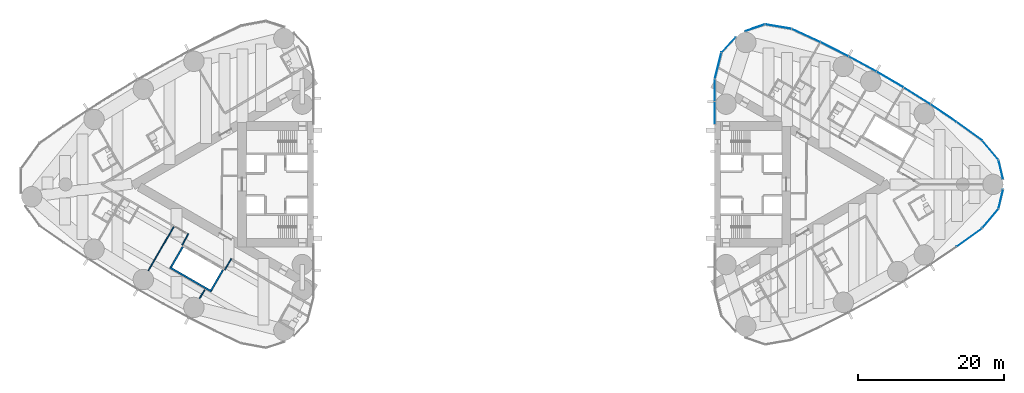
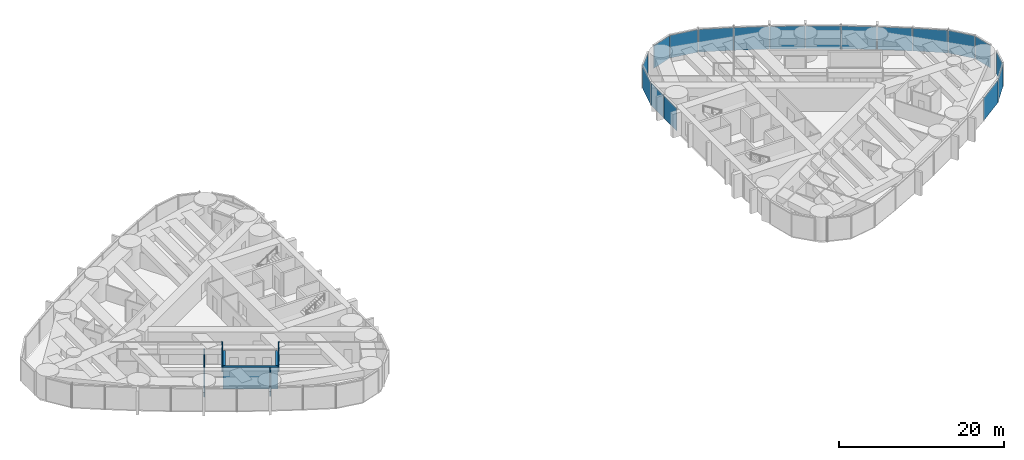
# One storey, part 11 of 18: 18 plates, 7 walls, 3 elements without a shape of their own.
"""IFC4 building model written with IfcOpenShell, lengths in metres."""

from ifc_helpers import new_model, si_unit, direction, frame, frame_2d, origin, origin_2d, place, context, subcontext, project, spatial, rectangle, extrude, material, layer, layer_set, type_object, element, aggregate, save


model = new_model("IFC4")

# Units and contexts
model_context = context("Model", 3, precision=1e-05, world=origin(), true_north=direction((0.0, 1.0)))
body_context = subcontext(model_context, "Body", "Model", "MODEL_VIEW")
ifc_project = project(units=[si_unit("LENGTHUNIT", "METRE"), si_unit("AREAUNIT", "SQUARE_METRE"), si_unit("VOLUMEUNIT", "CUBIC_METRE"), si_unit("PLANEANGLEUNIT", "RADIAN"), si_unit("MASSUNIT", "GRAM", prefix="KILO")], contexts=[model_context])

# Site, building, storey
site_placement = place(None, origin())
site = spatial("IfcSite", under=ifc_project, at=site_placement, CompositionType="ELEMENT")
building_placement = place(site_placement, origin())
building = spatial("IfcBuilding", under=site, at=building_placement, Name="Lancet Gate Hotel", CompositionType="ELEMENT")
storey_placement = place(building_placement, frame((0.0, 0.0, 187.800048828125)))
storey = spatial("IfcBuildingStorey", under=building, at=storey_placement, Name="L50", CompositionType="ELEMENT", Elevation=187.800048828125)

# Curtain wall, plates
ifc_material_1 = material(Name="Aluminium curtain wall", Category="aluminium")
curtain_wall_type = type_object("IfcCurtainWallType", Name="Tower unitised curtain wall", PredefinedType="USERDEFINED", material=ifc_material_1)
curtain_wall_1_placement = place(storey_placement, origin())
curtain_wall_1 = element("IfcCurtainWall", 1, at=curtain_wall_1_placement, inside=storey, type_object=curtain_wall_type, Name="T2 L50 curtain wall 2", ObjectType="UNITISED CURTAIN WALL", PredefinedType="USERDEFINED")
ifc_material_2 = material(Name="Glass double glazed unit 8-16-6", Category="glass")
ifc_layer_1 = layer(ifc_material_2, 0.030029296875)
ifc_layer_set_1 = layer_set([ifc_layer_1], Name="Vision panel double glazed")
plate_type = type_object("IfcPlateType", Name="Vision panel double glazed", PredefinedType="CURTAIN_PANEL", material=ifc_layer_set_1)
plate_1_placement = place(storey_placement, frame((62.417236328125, -7.279541015625, 0.0), z_axis=(0.0, 0.0, 1.0), x_axis=(0.810891442127, 0.585196607206, 0.0)))
plate_1 = element("IfcPlate", 2, at=plate_1_placement, type_object=plate_type, Name="T2 L50 curtain wall 2 panel 9", PredefinedType="CURTAIN_PANEL", context=body_context, shape_type="SweptSolid", body=[
    extrude(rectangle(XDim=4.26904296875, YDim=0.030029296875, at=origin_2d()), origin(), (0.0, 0.0, 1.0), 3.35009765625),
])
plate_2_placement = place(storey_placement, frame((65.283935546875, -4.68701171875, 0.0), z_axis=(0.0, 0.0, 1.0), x_axis=(0.642198636854, 0.766538264422, 0.0)))
plate_2 = element("IfcPlate", 3, at=plate_2_placement, type_object=plate_type, Name="T2 L50 curtain wall 2 panel 10", PredefinedType="CURTAIN_PANEL", context=body_context, shape_type="SweptSolid", body=[
    extrude(rectangle(XDim=3.390380859375, YDim=0.030029296875, at=origin_2d()), origin(), (0.0, 0.0, 1.0), 3.35009765625),
])
plate_3_placement = place(storey_placement, frame((66.710693359375, -2.0234375, 0.0), z_axis=(0.0, 0.0, 1.0), x_axis=(0.230366568544, 0.973103922558, 0.0)))
plate_3 = element("IfcPlate", 4, at=plate_3_placement, type_object=plate_type, Name="T2 L50 curtain wall 2 panel 11", PredefinedType="CURTAIN_PANEL", context=body_context, shape_type="SweptSolid", body=[
    extrude(rectangle(XDim=2.687255859375, YDim=0.030029296875, at=origin_2d()), origin(), (0.0, 0.0, 1.0), 3.35009765625),
])
aggregate(curtain_wall_1, [plate_1, plate_2, plate_3])

curtain_wall_2_placement = place(storey_placement, origin())
curtain_wall_2 = element("IfcCurtainWall", 5, at=curtain_wall_2_placement, inside=storey, type_object=curtain_wall_type, Name="T2 L50 curtain wall 3", ObjectType="UNITISED CURTAIN WALL", PredefinedType="USERDEFINED")
plate_4_placement = place(storey_placement, frame((66.710693359375, 2.0234375, 0.0), z_axis=(0.0, 0.0, 1.0), x_axis=(-0.230366568544, 0.973103922558, 0.0)))
plate_4 = element("IfcPlate", 6, at=plate_4_placement, type_object=plate_type, Name="T2 L50 curtain wall 3 panel 1", PredefinedType="CURTAIN_PANEL", context=body_context, shape_type="SweptSolid", body=[
    extrude(rectangle(XDim=2.687255859375, YDim=0.030029296875, at=origin_2d()), origin(), (0.0, 0.0, 1.0), 3.35009765625),
])
plate_5_placement = place(storey_placement, frame((65.283935546875, 4.68701171875, 0.0), z_axis=(0.0, 0.0, 1.0), x_axis=(-0.642198636854, 0.766538264422, 0.0)))
plate_5 = element("IfcPlate", 7, at=plate_5_placement, type_object=plate_type, Name="T2 L50 curtain wall 3 panel 2", PredefinedType="CURTAIN_PANEL", context=body_context, shape_type="SweptSolid", body=[
    extrude(rectangle(XDim=3.390380859375, YDim=0.030029296875, at=origin_2d()), origin(), (0.0, 0.0, 1.0), 3.35009765625),
])
plate_6_placement = place(storey_placement, frame((62.417236328125, 7.279541015625, 0.0), z_axis=(0.0, 0.0, 1.0), x_axis=(-0.810891442127, 0.585196607206, 0.0)))
plate_6 = element("IfcPlate", 8, at=plate_6_placement, type_object=plate_type, Name="T2 L50 curtain wall 3 panel 3", PredefinedType="CURTAIN_PANEL", context=body_context, shape_type="SweptSolid", body=[
    extrude(rectangle(XDim=4.26904296875, YDim=0.030029296875, at=origin_2d()), origin(), (0.0, 0.0, 1.0), 3.35009765625),
])
plate_7_placement = place(storey_placement, frame((58.863525390625, 9.75927734375, 0.0), z_axis=(0.0, 0.0, 1.0), x_axis=(-0.829038793948, 0.559191092677, 0.0)))
plate_7 = element("IfcPlate", 9, at=plate_7_placement, type_object=plate_type, Name="T2 L50 curtain wall 3 panel 4", PredefinedType="CURTAIN_PANEL", context=body_context, shape_type="SweptSolid", body=[
    extrude(rectangle(XDim=4.26904296875, YDim=0.030029296875, at=origin_2d()), origin(), (0.0, 0.0, 1.0), 3.35009765625),
])
plate_8_placement = place(storey_placement, frame((55.233154296875, 12.125244140625, 0.0), z_axis=(0.0, 0.0, 1.0), x_axis=(-0.846352453444, 0.532623248225, 0.0)))
plate_8 = element("IfcPlate", 10, at=plate_8_placement, type_object=plate_type, Name="T2 L50 curtain wall 3 panel 5", PredefinedType="CURTAIN_PANEL", context=body_context, shape_type="SweptSolid", body=[
    extrude(rectangle(XDim=4.26904296875, YDim=0.030029296875, at=origin_2d()), origin(), (0.0, 0.0, 1.0), 3.35009765625),
])
plate_9_placement = place(storey_placement, frame((51.529296875, 14.374755859375, 0.0), z_axis=(0.0, 0.0, 1.0), x_axis=(-0.862815009772, 0.505519790822, 0.0)))
plate_9 = element("IfcPlate", 11, at=plate_9_placement, type_object=plate_type, Name="T2 L50 curtain wall 3 panel 6", PredefinedType="CURTAIN_PANEL", context=body_context, shape_type="SweptSolid", body=[
    extrude(rectangle(XDim=4.26904296875, YDim=0.030029296875, at=origin_2d()), origin(), (0.0, 0.0, 1.0), 3.35009765625),
])
plate_10_placement = place(storey_placement, frame((47.756103515625, 16.505859375, 0.0), z_axis=(0.0, 0.0, 1.0), x_axis=(-0.878409907967, 0.477907976063, 0.0)))
plate_10 = element("IfcPlate", 12, at=plate_10_placement, type_object=plate_type, Name="T2 L50 curtain wall 3 panel 7", PredefinedType="CURTAIN_PANEL", context=body_context, shape_type="SweptSolid", body=[
    extrude(rectangle(XDim=4.26904296875, YDim=0.030029296875, at=origin_2d()), origin(), (0.0, 0.0, 1.0), 3.35009765625),
])
plate_11_placement = place(storey_placement, frame((43.917236328125, 18.516357421875, 0.0), z_axis=(0.0, 0.0, 1.0), x_axis=(-0.893121465596, 0.449815570752, 0.0)))
plate_11 = element("IfcPlate", 13, at=plate_11_placement, type_object=plate_type, Name="T2 L50 curtain wall 3 panel 8", PredefinedType="CURTAIN_PANEL", context=body_context, shape_type="SweptSolid", body=[
    extrude(rectangle(XDim=4.26904296875, YDim=0.030029296875, at=origin_2d()), origin(), (0.0, 0.0, 1.0), 3.35009765625),
])
plate_12_placement = place(storey_placement, frame((40.0166015625, 20.40380859375, 0.0), z_axis=(0.0, 0.0, 1.0), x_axis=(-0.906934888522, 0.421270824982, 0.0)))
plate_12 = element("IfcPlate", 14, at=plate_12_placement, type_object=plate_type, Name="T2 L50 curtain wall 3 panel 9", PredefinedType="CURTAIN_PANEL", context=body_context, shape_type="SweptSolid", body=[
    extrude(rectangle(XDim=4.26904296875, YDim=0.030029296875, at=origin_2d()), origin(), (0.0, 0.0, 1.0), 3.35009765625),
])
plate_13_placement = place(storey_placement, frame((36.231689453125, 21.629638671875, 0.0), z_axis=(0.0, 0.0, 1.0), x_axis=(-0.985539649572, 0.169444973729, 0.0)))
plate_13 = element("IfcPlate", 15, at=plate_13_placement, type_object=plate_type, Name="T2 L50 curtain wall 3 panel 10", PredefinedType="CURTAIN_PANEL", context=body_context, shape_type="SweptSolid", body=[
    extrude(rectangle(XDim=3.62744140625, YDim=0.030029296875, at=origin_2d()), origin(), (0.0, 0.0, 1.0), 3.35009765625),
])
plate_14_placement = place(storey_placement, frame((33.02197265625, 21.470703125, 0.0), z_axis=(0.0, 0.0, 1.0), x_axis=(-0.946952368511, -0.321373943827, 0.0)))
plate_14 = element("IfcPlate", 16, at=plate_14_placement, type_object=plate_type, Name="T2 L50 curtain wall 3 panel 11", PredefinedType="CURTAIN_PANEL", context=body_context, shape_type="SweptSolid", body=[
    extrude(rectangle(XDim=2.871337890625, YDim=0.030029296875, at=origin_2d()), origin(), (0.0, 0.0, 1.0), 3.35009765625),
])
aggregate(curtain_wall_2, [plate_4, plate_5, plate_6, plate_7, plate_8, plate_9, plate_10, plate_11, plate_12, plate_13, plate_14])

curtain_wall_3_placement = place(storey_placement, origin())
curtain_wall_3 = element("IfcCurtainWall", 17, at=curtain_wall_3_placement, inside=storey, type_object=curtain_wall_type, Name="T2 L50 curtain wall 4", ObjectType="UNITISED CURTAIN WALL", PredefinedType="USERDEFINED")
plate_15_placement = place(storey_placement, frame((29.4052734375, 19.122314453125, 0.0), z_axis=(0.0, 0.0, 1.0), x_axis=(-0.67883123083, -0.734294327943, 0.0)))
plate_15 = element("IfcPlate", 18, at=plate_15_placement, type_object=plate_type, Name="T2 L50 curtain wall 4 panel 1", PredefinedType="CURTAIN_PANEL", context=body_context, shape_type="SweptSolid", body=[
    extrude(rectangle(XDim=2.87060546875, YDim=0.030029296875, at=origin_2d()), origin(), (0.0, 0.0, 1.0), 3.35009765625),
])
plate_16_placement = place(storey_placement, frame((27.95458984375, 16.2548828125, 0.0), z_axis=(0.0, 0.0, 1.0), x_axis=(-0.246166705764, -0.969227503207, 0.0)))
plate_16 = element("IfcPlate", 19, at=plate_16_placement, type_object=plate_type, Name="T2 L50 curtain wall 4 panel 2", PredefinedType="CURTAIN_PANEL", context=body_context, shape_type="SweptSolid", body=[
    extrude(rectangle(XDim=3.62744140625, YDim=0.030029296875, at=origin_2d()), origin(), (0.0, 0.0, 1.0), 3.35009765625),
])
plate_17_placement = place(storey_placement, frame((27.5, 12.899169921875, 0.0), z_axis=(0.0, 0.0, 1.0), x_axis=(0.0, -1.0, 0.0)))
plate_17 = element("IfcPlate", 20, at=plate_17_placement, type_object=plate_type, Name="T2 L50 curtain wall 4 panel 3", PredefinedType="CURTAIN_PANEL", context=body_context, shape_type="SweptSolid", body=[
    extrude(rectangle(XDim=3.06787109375, YDim=0.030029296875, at=origin_2d()), origin(), (0.0, 0.0, 1.0), 3.35009765625),
])
plate_18_placement = place(storey_placement, frame((27.5, 9.766357421875, 0.0), z_axis=(0.0, 0.0, 1.0), x_axis=(0.0, -1.0, 0.0)))
plate_18 = element("IfcPlate", 21, at=plate_18_placement, type_object=plate_type, Name="T2 L50 curtain wall 4 panel 4", PredefinedType="CURTAIN_PANEL", context=body_context, shape_type="SweptSolid", body=[
    extrude(rectangle(XDim=3.06787109375, YDim=0.030029296875, at=origin_2d()), origin(), (0.0, 0.0, 1.0), 3.35009765625),
])
aggregate(curtain_wall_3, [plate_15, plate_16, plate_17, plate_18])

# Walls
ifc_material_3 = material(Name="Gypsum board partition")
ifc_layer_2 = layer(ifc_material_3, 0.25)
ifc_layer_set_2 = layer_set([ifc_layer_2], Name="Lift shaft partition 250")
wall_type_1 = type_object("IfcWallType", Name="Lift shaft partition 250", PredefinedType="PARTITIONING", material=ifc_layer_set_2)
wall_1_placement = place(storey_placement, frame((-41.482421875, -14.685791015625, 0.0), z_axis=(0.0, 0.0, 1.0), x_axis=(-0.86603344179, 0.499986077507, 0.0)))
element("IfcWall", 22, at=wall_1_placement, inside=storey, type_object=wall_type_1, Name="T1 lift shaft wall HL L50", PredefinedType="PARTITIONING", context=body_context, shape_type="SweptSolid", body=[
    extrude(rectangle(XDim=6.600341796875, YDim=0.25, at=frame_2d((3.30029296875, 0.0))), origin(), (0.0, 0.0, 1.0), 3.25),
])
for number, where, z_axis, x_axis, name in (
    (23, (-39.92822265625, -11.742919921875, 0.0), (0.0, 0.0, 1.0), (-0.499929347863, -0.866066190972, 0.0), "T1 lift shaft wall HL L50"),
    (24, (-45.427734375, -8.568115234375, 0.0), (0.0, 0.0, 1.0), (-0.499929347863, -0.866066190972, 0.0), "T1 lift shaft wall HL L50"),
):
    element("IfcWall", number, at=place(storey_placement, frame(where, z_axis=z_axis, x_axis=x_axis)), inside=storey, type_object=wall_type_1, Name=name, PredefinedType="PARTITIONING", context=body_context, shape_type="SweptSolid", body=[
        extrude(rectangle(XDim=3.20068359375, YDim=0.25, at=frame_2d((1.600341796875, 0.0))), origin(), (0.0, 0.0, 1.0), 3.25),
    ])
ifc_material_4 = material(Name="Gypsum board partition")
ifc_layer_3 = layer(ifc_material_4, 0.14990234375)
ifc_layer_set_3 = layer_set([ifc_layer_3], Name="Party wall 150")
wall_type_2 = type_object("IfcWallType", Name="Party wall 150", PredefinedType="PARTITIONING", material=ifc_layer_set_3)
wall_2_placement = place(storey_placement, frame((-46.6787109375, -5.8251953125, 0.0), z_axis=(0.0, 0.0, 1.0), x_axis=(-0.500006839597, -0.866021454905, 0.0)))
element("IfcWall", 25, at=wall_2_placement, inside=storey, type_object=wall_type_2, Name="T1 party wall 150 L50", PredefinedType="PARTITIONING", context=body_context, shape_type="SweptSolid", body=[
    extrude(rectangle(XDim=6.9111328125, YDim=0.14990234375, at=frame_2d((3.45556640625, 0.0))), origin(), (0.0, 0.0, 1.0), 2.300048828125),
])
wall_3_placement = place(storey_placement, frame((-42.429443359375, -14.45654296875, 0.0), z_axis=(0.0, 0.0, 1.0), x_axis=(-0.5000578829, -0.865991982497, 0.0)))
element("IfcWall", 26, at=wall_3_placement, inside=storey, type_object=wall_type_2, Name="T1 party wall 150 L50", PredefinedType="PARTITIONING", context=body_context, shape_type="SweptSolid", body=[
    extrude(rectangle(XDim=1.406982421875, YDim=0.14990234375, at=frame_2d((0.70361328125, 0.0))), origin(), (0.0, 0.0, 1.0), 3.25),
])
ifc_material_5 = material(Name="Gypsum board partition")
ifc_layer_4 = layer(ifc_material_5, 0.14990234375)
ifc_layer_set_4 = layer_set([ifc_layer_4], Name="Service room wall 150")
wall_type_3 = type_object("IfcWallType", Name="Service room wall 150", PredefinedType="PARTITIONING", material=ifc_layer_set_4)
for number, where, z_axis, x_axis, name in (
    (27, (-39.6826171875, -11.717529296875, 0.0), (0.0, 0.0, 1.0), (0.514336634837, 0.857588377991, 0.0), "T1 service room wall 150 L50"),
    (28, (-44.652099609375, -6.764404296875, 0.0), (0.0, 0.0, 1.0), (-0.485424724123, -0.874278466629, 0.0), "T1 service room wall 150 L50"),
):
    element("IfcWall", number, at=place(storey_placement, frame(where, z_axis=z_axis, x_axis=x_axis)), inside=storey, type_object=wall_type_3, Name=name, PredefinedType="PARTITIONING", context=body_context, shape_type="SweptSolid", body=[
        extrude(rectangle(XDim=1.80517578125, YDim=0.14990234375, at=frame_2d((0.902587890625, 0.0))), origin(), (0.0, 0.0, 1.0), 3.25),
    ])

save(model, "model.ifc")
